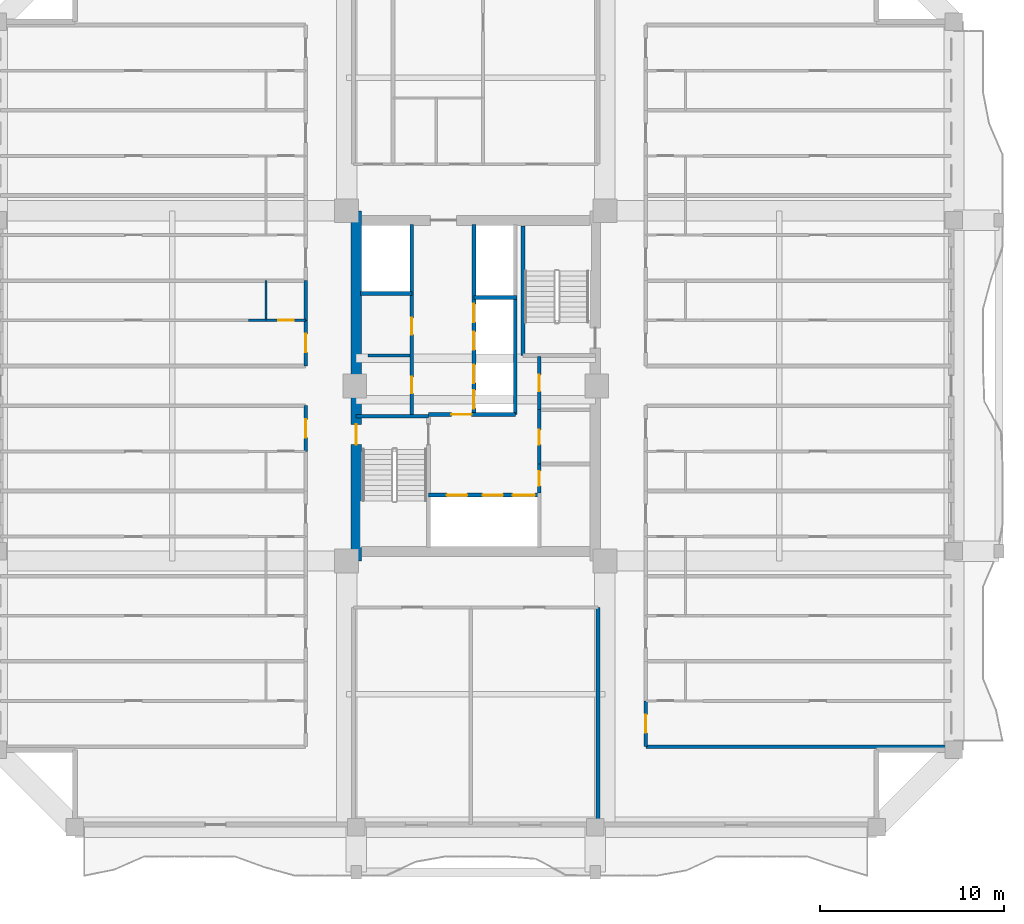
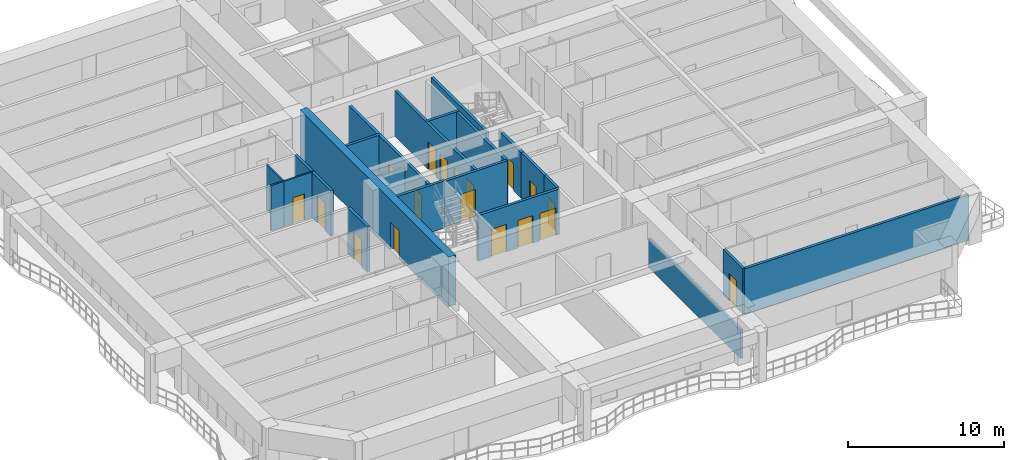
# One storey, part 4 of 13: 23 walls, 18 doors, 18 openings.
"""IFC4 building model written with IfcOpenShell, lengths in metres."""

from ifc_helpers import new_model, si_unit, direction, frame, frame_2d, origin, place, context, subcontext, project, spatial, rectangle, extrude, source, transform, mapped, material, layer, layer_set, type_object, element, fill, save


model = new_model("IFC4")

# Units and contexts
model_context = context("Model", 3, precision=1e-05, world=origin(), true_north=direction((0.0, 1.0)))
body_context = subcontext(model_context, "Body", "Model", "MODEL_VIEW")
ifc_project = project(units=[si_unit("LENGTHUNIT", "METRE"), si_unit("AREAUNIT", "SQUARE_METRE"), si_unit("VOLUMEUNIT", "CUBIC_METRE"), si_unit("PLANEANGLEUNIT", "RADIAN"), si_unit("MASSUNIT", "GRAM", prefix="KILO")], contexts=[model_context])

# Site, building, storey
site_placement = place(None, origin())
site = spatial("IfcSite", under=ifc_project, at=site_placement, CompositionType="ELEMENT")
building_placement = place(site_placement, origin())
building = spatial("IfcBuilding", under=site, at=building_placement, Name="Saelheon Loggia Tower", CompositionType="ELEMENT")
storey_placement = place(building_placement, frame((0.0, 0.0, 122.85009765625)))
storey = spatial("IfcBuildingStorey", under=building, at=storey_placement, Name="L39", CompositionType="ELEMENT", Elevation=122.85009765625)

# Wall, opening, door
ifc_material_1 = material(Name="Concrete C50/60", Category="concrete")
ifc_layer_1 = layer(ifc_material_1, 0.550048828125)
ifc_layer_set_1 = layer_set([ifc_layer_1], Name="Concrete C50/60")
wall_type_1 = type_object("IfcWallType", Name="Wall_CoreShear_550", PredefinedType="SHEAR", material=ifc_layer_set_1)
wall_1_placement = place(storey_placement, frame((31.5, 17.47998046875, 0.0), z_axis=(0.0, 0.0, 1.0), x_axis=(0.0, 1.0, 0.0)))
wall_1 = element("IfcWall", 1, at=wall_1_placement, inside=storey, type_object=wall_type_1, Name="L39 Core Shear Wall West", PredefinedType="SHEAR", context=body_context, shape_type="SweptSolid", body=[
    extrude(rectangle(XDim=19.0400390625, YDim=0.550048828125, at=frame_2d((9.52001953125, 0.0))), origin(), (0.0, 0.0, 1.0), 3.89990234375),
])
opening_1_placement = place(wall_1_placement, frame((6.320068359375, 0.0, 0.0)))
opening_1 = element("IfcOpeningElement", 2, at=opening_1_placement, cuts=wall_1, Name="Opening D-FD2", PredefinedType="OPENING", context=body_context, shape_type="SweptSolid", body=[
    extrude(rectangle(XDim=1.10009765625, YDim=2.14990234375, at=frame_2d((0.550048828125, 1.074951171875))), frame((0.0, 0.287109375, 0.0), z_axis=(0.0, -1.0, 0.0), x_axis=(1.0, 0.0, 0.0)), (0.0, 0.0, 1.0), 0.573974609375),
])
ifc_material_2 = material(Name="Galvanised Steel Fire Door", Category="steel")
door_type_1 = type_object("IfcDoorType", Name="Door_Fire_FD60_1100", OperationType="NOTDEFINED", PredefinedType="DOOR", material=ifc_material_2)
shared_shape_1 = source(origin(), body_context, "Body", "SweptSolid", [
    extrude(rectangle(XDim=1.10009765625, YDim=2.14990234375, at=frame_2d((0.550048828125, 1.074951171875))), frame((0.0, 0.02490234375, 0.0), z_axis=(0.0, -1.0, 0.0), x_axis=(1.0, 0.0, 0.0)), (0.0, 0.0, 1.0), 0.050048828125),
])
door_1_placement = place(opening_1_placement, origin())
door_1 = element("IfcDoor", 3, at=door_1_placement, inside=storey, type_object=door_type_1, Name="L39 Stair ST1 Corridor Door", OperationType="SINGLE_SWING_LEFT", OverallHeight=2.14990234375, OverallWidth=1.10009765625, PredefinedType="DOOR", context=body_context, shape_type="MappedRepresentation", body=[
    mapped(shared_shape_1, transform((0.0, 0.0, 0.0), scale=1.0)),
])
fill(opening_1, door_1)

# Walls
ifc_material_3 = material(Name="Lightweight Autoclaved Aerated Concrete Block and Acoustic Gypsum", Category="concrete")
ifc_layer_2 = layer(ifc_material_3, 0.14990234375)
ifc_layer_set_2 = layer_set([ifc_layer_2], Name="Lightweight Autoclaved Aerated Concrete Block and Acoustic Gypsum")
wall_type_2 = type_object("IfcWallType", Name="Wall_Part_150", PredefinedType="PARTITIONING", material=ifc_layer_set_2)
wall_2_placement = place(storey_placement, frame((32.14990234375, 28.64990234375, 0.0), z_axis=(0.0, 0.0, 1.0), x_axis=(1.0, 0.0, 0.0)))
element("IfcWall", 4, at=wall_2_placement, inside=storey, type_object=wall_type_2, Name="L39 Freed Core Partition PL", PredefinedType="PARTITIONING", context=body_context, shape_type="SweptSolid", body=[
    extrude(rectangle(XDim=2.27001953125, YDim=0.14990234375, at=frame_2d((1.135009765625, 0.0))), origin(), (0.0, 0.0, 1.0), 3.039794921875),
])
ifc_material_4 = material(Name="Double Acoustic Stud and Fireboard Partition", Category="gypsum")
ifc_layer_3 = layer(ifc_material_4, 0.199951171875)
ifc_layer_set_3 = layer_set([ifc_layer_3], Name="Double Acoustic Stud and Fireboard Partition")
wall_type_3 = type_object("IfcWallType", Name="Wall_Party_200", PredefinedType="PARTITIONING", material=ifc_layer_set_3)
wall_3_placement = place(storey_placement, frame((44.64990234375, 14.949951171875, 0.0), z_axis=(0.0, 0.0, 1.0), x_axis=(0.0, -1.0, 0.0)))
element("IfcWall", 5, at=wall_3_placement, inside=storey, type_object=wall_type_3, Name="L39 S Partition U02", PredefinedType="PARTITIONING", context=body_context, shape_type="SweptSolid", body=[
    extrude(rectangle(XDim=11.800048828125, YDim=0.199951171875, at=frame_2d((5.89990234375, 0.0))), origin(), (0.0, 0.0, 1.0), 2.239990234375),
])

# Wall, opening, door
wall_4_placement = place(storey_placement, frame((28.75, 23.43505859375, 0.0), z_axis=(0.0, 0.0, 1.0), x_axis=(0.0, 1.0, 0.0)))
wall_4 = element("IfcWall", 6, at=wall_4_placement, inside=storey, type_object=wall_type_3, Name="L39 WS Partition V25", PredefinedType="PARTITIONING", context=body_context, shape_type="SweptSolid", body=[
    extrude(rectangle(XDim=2.48486328125, YDim=0.199951171875, at=frame_2d((1.242431640625, 0.0))), origin(), (0.0, 0.0, 1.0), 3.559814453125),
])
opening_2_placement = place(wall_4_placement, frame((0.742431640625, 0.0, 0.0)))
opening_2 = element("IfcOpeningElement", 7, at=opening_2_placement, cuts=wall_4, Name="Opening D-FD1", PredefinedType="OPENING", context=body_context, shape_type="SweptSolid", body=[
    extrude(rectangle(XDim=1.0, YDim=2.14990234375, at=frame_2d((0.5, 1.074951171875))), frame((0.0, 0.112060546875, 0.0), z_axis=(0.0, -1.0, 0.0), x_axis=(1.0, 0.0, 0.0)), (0.0, 0.0, 1.0), 0.223876953125),
])
ifc_material_5 = material(Name="Fire-Rated Engineered Timber Entrance Door", Category="wood")
door_type_2 = type_object("IfcDoorType", Name="Door_Flat_FD30S", OperationType="NOTDEFINED", PredefinedType="DOOR", material=ifc_material_5)
shared_shape_2 = source(origin(), body_context, "Body", "SweptSolid", [
    extrude(rectangle(XDim=1.0, YDim=2.14990234375, at=frame_2d((0.5, 1.074951171875))), frame((0.0, 0.02490234375, 0.0), z_axis=(0.0, -1.0, 0.0), x_axis=(1.0, 0.0, 0.0)), (0.0, 0.0, 1.0), 0.050048828125),
])
door_2_placement = place(opening_2_placement, origin())
door_2 = element("IfcDoor", 8, at=door_2_placement, inside=storey, type_object=door_type_2, Name="Unit U04 Entrance Door", OperationType="SINGLE_SWING_LEFT", OverallHeight=2.14990234375, OverallWidth=1.0, PredefinedType="DOOR", context=body_context, shape_type="MappedRepresentation", body=[
    mapped(shared_shape_2, transform((0.0, 0.0, 0.0), scale=1.0)),
])
fill(opening_2, door_2)

wall_5_placement = place(storey_placement, frame((28.75, 28.080078125, 0.0), z_axis=(0.0, 0.0, 1.0), x_axis=(0.0, 1.0, 0.0)))
wall_5 = element("IfcWall", 9, at=wall_5_placement, inside=storey, type_object=wall_type_3, Name="L39 WN Partition V03", PredefinedType="PARTITIONING", context=body_context, shape_type="SweptSolid", body=[
    extrude(rectangle(XDim=2.48486328125, YDim=0.199951171875, at=frame_2d((1.242431640625, 0.0))), origin(), (0.0, 0.0, 1.0), 3.559814453125),
])
opening_3_placement = place(wall_5_placement, frame((0.742431640625, 0.0, 0.0)))
opening_3 = element("IfcOpeningElement", 10, at=opening_3_placement, cuts=wall_5, Name="Opening D-FD1", PredefinedType="OPENING", context=body_context, shape_type="SweptSolid", body=[
    extrude(rectangle(XDim=1.0, YDim=2.14990234375, at=frame_2d((0.5, 1.074951171875))), frame((0.0, 0.112060546875, 0.0), z_axis=(0.0, -1.0, 0.0), x_axis=(1.0, 0.0, 0.0)), (0.0, 0.0, 1.0), 0.223876953125),
])
door_3_placement = place(opening_3_placement, origin())
door_3 = element("IfcDoor", 11, at=door_3_placement, inside=storey, type_object=door_type_2, Name="Unit U05 Entrance Door", OperationType="SINGLE_SWING_RIGHT", OverallHeight=2.14990234375, OverallWidth=1.0, PredefinedType="DOOR", context=body_context, shape_type="MappedRepresentation", body=[
    mapped(shared_shape_2, transform((0.0, 0.0, 0.0), scale=1.0)),
])
fill(opening_3, door_3)

# Walls
wall_6_placement = place(storey_placement, frame((28.75, 30.56494140625, 0.0), z_axis=(0.0, 0.0, 1.0), x_axis=(0.0, 1.0, 0.0)))
element("IfcWall", 12, at=wall_6_placement, inside=storey, type_object=wall_type_3, Name="L39 WN Partition V04", PredefinedType="PARTITIONING", context=body_context, shape_type="SweptSolid", body=[
    extrude(rectangle(XDim=2.150146484375, YDim=0.199951171875, at=frame_2d((1.0751953125, 0.0))), origin(), (0.0, 0.0, 1.0), 3.559814453125),
])
wall_7_placement = place(storey_placement, frame((47.25, 7.3798828125, 0.0), z_axis=(0.0, 0.0, 1.0), x_axis=(1.0, 0.0, 0.0)))
element("IfcWall", 13, at=wall_7_placement, inside=storey, type_object=wall_type_3, Name="L39 ES Partition U01", PredefinedType="PARTITIONING", context=body_context, shape_type="SweptSolid", body=[
    extrude(rectangle(XDim=16.60009765625, YDim=0.199951171875, at=frame_2d((8.300048828125, 0.0))), origin(), (0.0, 0.0, 1.0), 3.559814453125),
])

# Wall, opening, door
wall_8_placement = place(storey_placement, frame((47.25, 7.3798828125, 0.0), z_axis=(0.0, 0.0, 1.0), x_axis=(0.0, 1.0, 0.0)))
wall_8 = element("IfcWall", 14, at=wall_8_placement, inside=storey, type_object=wall_type_3, Name="L39 ES Partition V03", PredefinedType="PARTITIONING", context=body_context, shape_type="SweptSolid", body=[
    extrude(rectangle(XDim=2.485107421875, YDim=0.199951171875, at=frame_2d((1.24267578125, 0.0))), origin(), (0.0, 0.0, 1.0), 3.559814453125),
])
opening_4_placement = place(wall_8_placement, frame((0.742431640625, 0.0, 0.0)))
opening_4 = element("IfcOpeningElement", 15, at=opening_4_placement, cuts=wall_8, Name="Opening D-FD1", PredefinedType="OPENING", context=body_context, shape_type="SweptSolid", body=[
    extrude(rectangle(XDim=1.0, YDim=2.14990234375, at=frame_2d((0.5, 1.074951171875))), frame((0.0, 0.112060546875, 0.0), z_axis=(0.0, -1.0, 0.0), x_axis=(1.0, 0.0, 0.0)), (0.0, 0.0, 1.0), 0.223876953125),
])
door_4_placement = place(opening_4_placement, origin())
door_4 = element("IfcDoor", 16, at=door_4_placement, inside=storey, type_object=door_type_2, Name="Unit U09 Entrance Door", OperationType="SINGLE_SWING_RIGHT", OverallHeight=2.14990234375, OverallWidth=1.0, PredefinedType="DOOR", context=body_context, shape_type="MappedRepresentation", body=[
    mapped(shared_shape_2, transform((0.0, 0.0, 0.0), scale=1.0)),
])
fill(opening_4, door_4)

ifc_material_6 = material(Name="Concrete C40/50", Category="concrete")
ifc_layer_4 = layer(ifc_material_6, 0.199951171875)
ifc_layer_set_4 = layer_set([ifc_layer_4], Name="Concrete C40/50")
wall_type_4 = type_object("IfcWallType", Name="Wall_Shaft_200", PredefinedType="PARTITIONING", material=ifc_layer_set_4)
wall_9_placement = place(storey_placement, frame((41.449951171875, 21.179931640625, 0.0), z_axis=(0.0, 0.0, 1.0), x_axis=(0.0, 1.0, 0.0)))
wall_9 = element("IfcWall", 17, at=wall_9_placement, inside=storey, type_object=wall_type_4, Name="CW-INT-L39-BOH-W1", PredefinedType="PARTITIONING", context=body_context, shape_type="SweptSolid", body=[
    extrude(rectangle(XDim=1.570068359375, YDim=0.199951171875, at=frame_2d((0.78515625, 0.0))), origin(), (0.0, 0.0, 1.0), 3.559814453125),
])
opening_5_placement = place(wall_9_placement, frame((0.3798828125, 0.0, 0.0)))
opening_5 = element("IfcOpeningElement", 18, at=opening_5_placement, cuts=wall_9, Name="Opening D-ST1", PredefinedType="OPENING", context=body_context, shape_type="SweptSolid", body=[
    extrude(rectangle(XDim=0.800048828125, YDim=2.050048828125, at=frame_2d((0.39990234375, 1.02490234375))), frame((0.0, 0.112060546875, 0.0), z_axis=(0.0, -1.0, 0.0), x_axis=(1.0, 0.0, 0.0)), (0.0, 0.0, 1.0), 0.223876953125),
])
ifc_material_7 = material(Name="Powder-Coated Steel Store Door", Category="steel")
door_type_3 = type_object("IfcDoorType", Name="Door_Store_800", OperationType="NOTDEFINED", PredefinedType="DOOR", material=ifc_material_7)
shared_shape_3 = source(origin(), body_context, "Body", "SweptSolid", [
    extrude(rectangle(XDim=0.800048828125, YDim=2.050048828125, at=frame_2d((0.39990234375, 1.02490234375))), frame((0.0, 0.02490234375, 0.0), z_axis=(0.0, -1.0, 0.0), x_axis=(1.0, 0.0, 0.0)), (0.0, 0.0, 1.0), 0.050048828125),
])
door_5_placement = place(opening_5_placement, origin())
door_5 = element("IfcDoor", 19, at=door_5_placement, inside=storey, type_object=door_type_3, Name="L39 Cleaner Store Door", OperationType="SINGLE_SWING_RIGHT", OverallHeight=2.050048828125, OverallWidth=0.800048828125, PredefinedType="DOOR", context=body_context, shape_type="MappedRepresentation", body=[
    mapped(shared_shape_3, transform((0.0, 0.0, 0.0), scale=1.0)),
])
fill(opening_5, door_5)

wall_10_placement = place(storey_placement, frame((41.449951171875, 22.75, 0.0), z_axis=(0.0, 0.0, 1.0), x_axis=(0.0, 1.0, 0.0)))
wall_10 = element("IfcWall", 20, at=wall_10_placement, inside=storey, type_object=wall_type_4, Name="CW-INT-L39-BOH-W2", PredefinedType="PARTITIONING", context=body_context, shape_type="SweptSolid", body=[
    extrude(rectangle(XDim=2.949951171875, YDim=0.199951171875, at=frame_2d((1.47509765625, 0.0))), origin(), (0.0, 0.0, 1.0), 3.559814453125),
])
opening_6_placement = place(wall_10_placement, frame((1.050048828125, 0.0, 0.0)))
opening_6 = element("IfcOpeningElement", 21, at=opening_6_placement, cuts=wall_10, Name="Opening D-ST1", PredefinedType="OPENING", context=body_context, shape_type="SweptSolid", body=[
    extrude(rectangle(XDim=0.800048828125, YDim=2.050048828125, at=frame_2d((0.39990234375, 1.02490234375))), frame((0.0, 0.112060546875, 0.0), z_axis=(0.0, -1.0, 0.0), x_axis=(1.0, 0.0, 0.0)), (0.0, 0.0, 1.0), 0.223876953125),
])
door_6_placement = place(opening_6_placement, origin())
door_6 = element("IfcDoor", 22, at=door_6_placement, inside=storey, type_object=door_type_3, Name="L39 Electrical Riser Door", OperationType="SINGLE_SWING_LEFT", OverallHeight=2.050048828125, OverallWidth=0.800048828125, PredefinedType="DOOR", context=body_context, shape_type="MappedRepresentation", body=[
    mapped(shared_shape_3, transform((0.0, 0.0, 0.0), scale=1.0)),
])
fill(opening_6, door_6)

wall_11_placement = place(storey_placement, frame((41.449951171875, 25.699951171875, 0.0), z_axis=(0.0, 0.0, 1.0), x_axis=(0.0, 1.0, 0.0)))
wall_11 = element("IfcWall", 23, at=wall_11_placement, inside=storey, type_object=wall_type_4, Name="CW-INT-L39-BOH-W3", PredefinedType="PARTITIONING", context=body_context, shape_type="SweptSolid", body=[
    extrude(rectangle(XDim=2.900146484375, YDim=0.199951171875, at=frame_2d((1.4501953125, 0.0))), origin(), (0.0, 0.0, 1.0), 3.559814453125),
])
opening_7_placement = place(wall_11_placement, frame((1.0, 0.0, 0.0)))
opening_7 = element("IfcOpeningElement", 24, at=opening_7_placement, cuts=wall_11, Name="Opening D-RS1", PredefinedType="OPENING", context=body_context, shape_type="SweptSolid", body=[
    extrude(rectangle(XDim=0.89990234375, YDim=2.10009765625, at=frame_2d((0.449951171875, 1.050048828125))), frame((0.0, 0.112060546875, 0.0), z_axis=(0.0, -1.0, 0.0), x_axis=(1.0, 0.0, 0.0)), (0.0, 0.0, 1.0), 0.223876953125),
])
ifc_material_8 = material(Name="Galvanised Steel Riser Access Door", Category="steel")
door_type_4 = type_object("IfcDoorType", Name="Door_Riser_FD60", OperationType="NOTDEFINED", PredefinedType="DOOR", material=ifc_material_8)
shared_shape_4 = source(origin(), body_context, "Body", "SweptSolid", [
    extrude(rectangle(XDim=0.89990234375, YDim=2.10009765625, at=frame_2d((0.449951171875, 1.050048828125))), frame((0.0, 0.02490234375, 0.0), z_axis=(0.0, -1.0, 0.0), x_axis=(1.0, 0.0, 0.0)), (0.0, 0.0, 1.0), 0.050048828125),
])
door_7_placement = place(opening_7_placement, origin())
door_7 = element("IfcDoor", 25, at=door_7_placement, inside=storey, type_object=door_type_4, Name="L39 Floor IT Room Door", OperationType="SINGLE_SWING_RIGHT", OverallHeight=2.10009765625, OverallWidth=0.89990234375, PredefinedType="DOOR", context=body_context, shape_type="MappedRepresentation", body=[
    mapped(shared_shape_4, transform((0.0, 0.0, 0.0), scale=1.0)),
])
fill(opening_7, door_7)

# Wall
wall_12_placement = place(storey_placement, frame((40.14990234375, 25.43994140625, 0.0), z_axis=(0.0, 0.0, 1.0), x_axis=(0.0, 1.0, 0.0)))
element("IfcWall", 26, at=wall_12_placement, inside=storey, type_object=wall_type_4, Name="L39 Core Service Passage West Wall", PredefinedType="PARTITIONING", context=body_context, shape_type="SweptSolid", body=[
    extrude(rectangle(XDim=6.360107421875, YDim=0.199951171875, at=frame_2d((3.18017578125, 0.0))), origin(), (0.0, 0.0, 1.0), 3.559814453125),
])

# Wall, openings, doors
wall_13_placement = place(storey_placement, frame((35.429931640625, 21.06005859375, 0.0), z_axis=(0.0, 0.0, 1.0), x_axis=(1.0, 0.0, 0.0)))
wall_13 = element("IfcWall", 27, at=wall_13_placement, inside=storey, type_object=wall_type_4, Name="L39 Firefighting Lift Shaft Front Wall", PredefinedType="PARTITIONING", context=body_context, shape_type="SweptSolid", body=[
    extrude(rectangle(XDim=6.02001953125, YDim=0.199951171875, at=frame_2d((3.010009765625, 0.0))), origin(), (0.0, 0.0, 1.0), 3.559814453125),
])
opening_8_placement = place(wall_13_placement, frame((1.0, 0.0, 0.0)))
opening_8 = element("IfcOpeningElement", 28, at=opening_8_placement, cuts=wall_13, Name="Opening LD2", PredefinedType="OPENING", context=body_context, shape_type="SweptSolid", body=[
    extrude(rectangle(XDim=1.10009765625, YDim=2.14990234375, at=frame_2d((0.550048828125, 1.074951171875))), frame((0.0, 0.112060546875, 0.0), z_axis=(0.0, -1.0, 0.0), x_axis=(1.0, 0.0, 0.0)), (0.0, 0.0, 1.0), 0.223876953125),
])
opening_9_placement = place(wall_13_placement, frame((2.949951171875, 0.0, 0.0)))
opening_9 = element("IfcOpeningElement", 29, at=opening_9_placement, cuts=wall_13, Name="Opening LD2", PredefinedType="OPENING", context=body_context, shape_type="SweptSolid", body=[
    extrude(rectangle(XDim=1.10009765625, YDim=2.14990234375, at=frame_2d((0.550048828125, 1.074951171875))), frame((0.0, 0.112060546875, 0.0), z_axis=(0.0, -1.0, 0.0), x_axis=(1.0, 0.0, 0.0)), (0.0, 0.0, 1.0), 0.223876953125),
])
opening_10_placement = place(wall_13_placement, frame((4.580078125, 0.0, 0.0)))
opening_10 = element("IfcOpeningElement", 30, at=opening_10_placement, cuts=wall_13, Name="Opening LD3", PredefinedType="OPENING", context=body_context, shape_type="SweptSolid", body=[
    extrude(rectangle(XDim=1.199951171875, YDim=2.14990234375, at=frame_2d((0.60009765625, 1.074951171875))), frame((0.0, 0.112060546875, 0.0), z_axis=(0.0, -1.0, 0.0), x_axis=(1.0, 0.0, 0.0)), (0.0, 0.0, 1.0), 0.223876953125),
])
ifc_material_9 = material(Name="Firefighting Stainless Steel 316 Landing Door", Category="steel")
door_type_5 = type_object("IfcDoorType", Name="Door_Lift_LD2", OperationType="DOUBLE_DOOR_SLIDING", PredefinedType="DOOR", material=ifc_material_9)
door_8_placement = place(opening_8_placement, origin())
door_8 = element("IfcDoor", 31, at=door_8_placement, inside=storey, type_object=door_type_5, Name="L39 FF1 Landing Door", OperationType="DOUBLE_DOOR_SLIDING", OverallHeight=2.14990234375, OverallWidth=1.10009765625, PredefinedType="DOOR", context=body_context, shape_type="MappedRepresentation", body=[
    mapped(shared_shape_1, transform((0.0, 0.0, 0.0), scale=1.0)),
])
fill(opening_8, door_8)
door_9_placement = place(opening_9_placement, origin())
door_9 = element("IfcDoor", 32, at=door_9_placement, inside=storey, type_object=door_type_5, Name="L39 FF2 Landing Door", OperationType="DOUBLE_DOOR_SLIDING", OverallHeight=2.14990234375, OverallWidth=1.10009765625, PredefinedType="DOOR", context=body_context, shape_type="MappedRepresentation", body=[
    mapped(shared_shape_1, transform((0.0, 0.0, 0.0), scale=1.0)),
])
fill(opening_9, door_9)
ifc_material_10 = material(Name="Stretcher Lift Stainless Steel 304 Landing Door", Category="steel")
door_type_6 = type_object("IfcDoorType", Name="Door_Lift_LD3", OperationType="DOUBLE_DOOR_SLIDING", PredefinedType="DOOR", material=ifc_material_10)
shared_shape_5 = source(origin(), body_context, "Body", "SweptSolid", [
    extrude(rectangle(XDim=1.199951171875, YDim=2.14990234375, at=frame_2d((0.60009765625, 1.074951171875))), frame((0.0, 0.02490234375, 0.0), z_axis=(0.0, -1.0, 0.0), x_axis=(1.0, 0.0, 0.0)), (0.0, 0.0, 1.0), 0.050048828125),
])
door_10_placement = place(opening_10_placement, origin())
door_10 = element("IfcDoor", 33, at=door_10_placement, inside=storey, type_object=door_type_6, Name="L39 SV1 Landing Door", OperationType="DOUBLE_DOOR_SLIDING", OverallHeight=2.14990234375, OverallWidth=1.199951171875, PredefinedType="DOOR", context=body_context, shape_type="MappedRepresentation", body=[
    mapped(shared_shape_5, transform((0.0, 0.0, 0.0), scale=1.0)),
])
fill(opening_10, door_10)

# Wall, opening, door
wall_14_placement = place(storey_placement, frame((35.429931640625, 25.43994140625, 0.0), z_axis=(0.0, 0.0, 1.0), x_axis=(1.0, 0.0, 0.0)))
wall_14 = element("IfcWall", 34, at=wall_14_placement, inside=storey, type_object=wall_type_4, Name="L39 Firefighting Lobby Compartment Wall", PredefinedType="PARTITIONING", context=body_context, shape_type="SweptSolid", body=[
    extrude(rectangle(XDim=4.719970703125, YDim=0.199951171875, at=frame_2d((2.35986328125, 0.0))), origin(), (0.0, 0.0, 1.0), 3.559814453125),
])
opening_11_placement = place(wall_14_placement, frame((1.25, 0.0, 0.0)))
opening_11 = element("IfcOpeningElement", 35, at=opening_11_placement, cuts=wall_14, Name="Opening D-FD2", PredefinedType="OPENING", context=body_context, shape_type="SweptSolid", body=[
    extrude(rectangle(XDim=1.10009765625, YDim=2.14990234375, at=frame_2d((0.550048828125, 1.074951171875))), frame((0.0, 0.112060546875, 0.0), z_axis=(0.0, -1.0, 0.0), x_axis=(1.0, 0.0, 0.0)), (0.0, 0.0, 1.0), 0.223876953125),
])
door_11_placement = place(opening_11_placement, origin())
door_11 = element("IfcDoor", 36, at=door_11_placement, inside=storey, type_object=door_type_1, Name="L39 Firefighting Lobby Door", OperationType="SINGLE_SWING_LEFT", OverallHeight=2.14990234375, OverallWidth=1.10009765625, PredefinedType="DOOR", context=body_context, shape_type="MappedRepresentation", body=[
    mapped(shared_shape_1, transform((0.0, 0.0, 0.0), scale=1.0)),
])
fill(opening_11, door_11)

# Wall, openings, doors
wall_15_placement = place(storey_placement, frame((34.52001953125, 25.43994140625, 0.0), z_axis=(0.0, 0.0, 1.0), x_axis=(0.0, 1.0, 0.0)))
wall_15 = element("IfcWall", 37, at=wall_15_placement, inside=storey, type_object=wall_type_4, Name="L39 West Passenger Lift Bank Wall", PredefinedType="PARTITIONING", context=body_context, shape_type="SweptSolid", body=[
    extrude(rectangle(XDim=10.340087890625, YDim=0.199951171875, at=frame_2d((5.169921875, 0.0))), origin(), (0.0, 0.0, 1.0), 3.559814453125),
])
opening_12_placement = place(wall_15_placement, frame((1.14990234375, 0.0, 0.0)))
opening_12 = element("IfcOpeningElement", 38, at=opening_12_placement, cuts=wall_15, Name="Opening D-RS1", PredefinedType="OPENING", context=body_context, shape_type="SweptSolid", body=[
    extrude(rectangle(XDim=0.89990234375, YDim=2.10009765625, at=frame_2d((0.449951171875, 1.050048828125))), frame((0.0, 0.112060546875, 0.0), z_axis=(0.0, -1.0, 0.0), x_axis=(1.0, 0.0, 0.0)), (0.0, 0.0, 1.0), 0.223876953125),
])
opening_13_placement = place(wall_15_placement, frame((4.35009765625, 0.0, 0.0)))
opening_13 = element("IfcOpeningElement", 39, at=opening_13_placement, cuts=wall_15, Name="Opening D-RS1", PredefinedType="OPENING", context=body_context, shape_type="SweptSolid", body=[
    extrude(rectangle(XDim=0.89990234375, YDim=2.10009765625, at=frame_2d((0.449951171875, 1.050048828125))), frame((0.0, 0.112060546875, 0.0), z_axis=(0.0, -1.0, 0.0), x_axis=(1.0, 0.0, 0.0)), (0.0, 0.0, 1.0), 0.223876953125),
])
door_12_placement = place(opening_12_placement, origin())
door_12 = element("IfcDoor", 40, at=door_12_placement, inside=storey, type_object=door_type_4, Name="L39 Parcel Store Door", OperationType="SINGLE_SWING_LEFT", OverallHeight=2.10009765625, OverallWidth=0.89990234375, PredefinedType="DOOR", context=body_context, shape_type="MappedRepresentation", body=[
    mapped(shared_shape_4, transform((0.0, 0.0, 0.0), scale=1.0)),
])
fill(opening_12, door_12)
door_13_placement = place(opening_13_placement, origin())
door_13 = element("IfcDoor", 41, at=door_13_placement, inside=storey, type_object=door_type_4, Name="L39 Smart Metering Door", OperationType="SINGLE_SWING_RIGHT", OverallHeight=2.10009765625, OverallWidth=0.89990234375, PredefinedType="DOOR", context=body_context, shape_type="MappedRepresentation", body=[
    mapped(shared_shape_4, transform((0.0, 0.0, 0.0), scale=1.0)),
])
fill(opening_13, door_13)

# Wall
wall_16_placement = place(storey_placement, frame((31.719970703125, 32.02001953125, 0.0), z_axis=(0.0, 0.0, 1.0), x_axis=(1.0, 0.0, 0.0)))
element("IfcWall", 42, at=wall_16_placement, inside=storey, type_object=wall_type_4, Name="L39 West High-Rise Shaft Divider", PredefinedType="PARTITIONING", context=body_context, shape_type="SweptSolid", body=[
    extrude(rectangle(XDim=2.800048828125, YDim=0.199951171875, at=frame_2d((1.39990234375, 0.0))), origin(), (0.0, 0.0, 1.0), 3.559814453125),
])

# Wall, openings, doors
wall_17_placement = place(storey_placement, frame((37.89990234375, 25.43994140625, 0.0), z_axis=(0.0, 0.0, 1.0), x_axis=(0.0, 1.0, 0.0)))
wall_17 = element("IfcWall", 43, at=wall_17_placement, inside=storey, type_object=wall_type_4, Name="L39 East Passenger Lift Bank Wall", PredefinedType="PARTITIONING", context=body_context, shape_type="SweptSolid", body=[
    extrude(rectangle(XDim=10.340087890625, YDim=0.199951171875, at=frame_2d((5.169921875, 0.0))), origin(), (0.0, 0.0, 1.0), 3.559814453125),
])
opening_14_placement = place(wall_17_placement, frame((0.320068359375, 0.0, 0.0)))
opening_14 = element("IfcOpeningElement", 44, at=opening_14_placement, cuts=wall_17, Name="Opening LD1", PredefinedType="OPENING", context=body_context, shape_type="SweptSolid", body=[
    extrude(rectangle(XDim=1.0, YDim=2.14990234375, at=frame_2d((0.5, 1.074951171875))), frame((0.0, 0.112060546875, 0.0), z_axis=(0.0, -1.0, 0.0), x_axis=(1.0, 0.0, 0.0)), (0.0, 0.0, 1.0), 0.223876953125),
])
opening_15_placement = place(wall_17_placement, frame((1.7099609375, 0.0, 0.0)))
opening_15 = element("IfcOpeningElement", 45, at=opening_15_placement, cuts=wall_17, Name="Opening LD1", PredefinedType="OPENING", context=body_context, shape_type="SweptSolid", body=[
    extrude(rectangle(XDim=1.0, YDim=2.14990234375, at=frame_2d((0.5, 1.074951171875))), frame((0.0, 0.112060546875, 0.0), z_axis=(0.0, -1.0, 0.0), x_axis=(1.0, 0.0, 0.0)), (0.0, 0.0, 1.0), 0.223876953125),
])
opening_16_placement = place(wall_17_placement, frame((3.510009765625, 0.0, 0.0)))
opening_16 = element("IfcOpeningElement", 46, at=opening_16_placement, cuts=wall_17, Name="Opening LD1", PredefinedType="OPENING", context=body_context, shape_type="SweptSolid", body=[
    extrude(rectangle(XDim=1.0, YDim=2.14990234375, at=frame_2d((0.5, 1.074951171875))), frame((0.0, 0.112060546875, 0.0), z_axis=(0.0, -1.0, 0.0), x_axis=(1.0, 0.0, 0.0)), (0.0, 0.0, 1.0), 0.223876953125),
])
opening_17_placement = place(wall_17_placement, frame((5.010009765625, 0.0, 0.0)))
opening_17 = element("IfcOpeningElement", 47, at=opening_17_placement, cuts=wall_17, Name="Opening LD1", PredefinedType="OPENING", context=body_context, shape_type="SweptSolid", body=[
    extrude(rectangle(XDim=1.0, YDim=2.14990234375, at=frame_2d((0.5, 1.074951171875))), frame((0.0, 0.112060546875, 0.0), z_axis=(0.0, -1.0, 0.0), x_axis=(1.0, 0.0, 0.0)), (0.0, 0.0, 1.0), 0.223876953125),
])
ifc_material_11 = material(Name="Brushed Stainless Steel 304 Landing Door", Category="steel")
door_type_7 = type_object("IfcDoorType", Name="Door_Lift_LD1", OperationType="DOUBLE_DOOR_SLIDING", PredefinedType="DOOR", material=ifc_material_11)
door_14_placement = place(opening_14_placement, origin())
door_14 = element("IfcDoor", 48, at=door_14_placement, inside=storey, type_object=door_type_7, Name="L39 PM1 Landing Door", OperationType="DOUBLE_DOOR_SLIDING", OverallHeight=2.14990234375, OverallWidth=1.0, PredefinedType="DOOR", context=body_context, shape_type="MappedRepresentation", body=[
    mapped(shared_shape_2, transform((0.0, 0.0, 0.0), scale=1.0)),
])
fill(opening_14, door_14)
door_15_placement = place(opening_15_placement, origin())
door_15 = element("IfcDoor", 49, at=door_15_placement, inside=storey, type_object=door_type_7, Name="L39 PM2 Landing Door", OperationType="DOUBLE_DOOR_SLIDING", OverallHeight=2.14990234375, OverallWidth=1.0, PredefinedType="DOOR", context=body_context, shape_type="MappedRepresentation", body=[
    mapped(shared_shape_2, transform((0.0, 0.0, 0.0), scale=1.0)),
])
fill(opening_15, door_15)
door_16_placement = place(opening_16_placement, origin())
door_16 = element("IfcDoor", 50, at=door_16_placement, inside=storey, type_object=door_type_7, Name="L39 PM3 Landing Door", OperationType="DOUBLE_DOOR_SLIDING", OverallHeight=2.14990234375, OverallWidth=1.0, PredefinedType="DOOR", context=body_context, shape_type="MappedRepresentation", body=[
    mapped(shared_shape_2, transform((0.0, 0.0, 0.0), scale=1.0)),
])
fill(opening_16, door_16)
door_17_placement = place(opening_17_placement, origin())
door_17 = element("IfcDoor", 51, at=door_17_placement, inside=storey, type_object=door_type_7, Name="L39 PM4 Landing Door", OperationType="DOUBLE_DOOR_SLIDING", OverallHeight=2.14990234375, OverallWidth=1.0, PredefinedType="DOOR", context=body_context, shape_type="MappedRepresentation", body=[
    mapped(shared_shape_2, transform((0.0, 0.0, 0.0), scale=1.0)),
])
fill(opening_17, door_17)

# Walls
wall_18_placement = place(storey_placement, frame((37.89990234375, 31.800048828125, 0.0), z_axis=(0.0, 0.0, 1.0), x_axis=(1.0, 0.0, 0.0)))
element("IfcWall", 52, at=wall_18_placement, inside=storey, type_object=wall_type_4, Name="L39 East High-Rise Shaft Divider", PredefinedType="PARTITIONING", context=body_context, shape_type="SweptSolid", body=[
    extrude(rectangle(XDim=2.35009765625, YDim=0.199951171875, at=frame_2d((1.175048828125, 0.0))), origin(), (0.0, 0.0, 1.0), 3.559814453125),
])
ifc_material_12 = material(Name="Concrete C45/55", Category="concrete")
ifc_layer_5 = layer(ifc_material_12, 0.199951171875)
ifc_layer_set_5 = layer_set([ifc_layer_5], Name="Concrete C45/55")
wall_type_5 = type_object("IfcWallType", Name="Wall_StairShaft_RC200", PredefinedType="SOLIDWALL", material=ifc_layer_set_5)
wall_19_placement = place(storey_placement, frame((31.5, 25.35009765625, 0.0), z_axis=(0.0, 0.0, 1.0), x_axis=(1.0, 0.0, 0.0)))
element("IfcWall", 53, at=wall_19_placement, inside=storey, type_object=wall_type_5, Name="L39 Stair ST1 North Wall", PredefinedType="SOLIDWALL", context=body_context, shape_type="SweptSolid", body=[
    extrude(rectangle(XDim=3.929931640625, YDim=0.199951171875, at=frame_2d((1.96484375, 0.0))), origin(), (0.0, 0.0, 1.0), 3.68994140625),
])
wall_20_placement = place(storey_placement, frame((40.570068359375, 28.64990234375, 0.0), z_axis=(0.0, 0.0, 1.0), x_axis=(0.0, 1.0, 0.0)))
element("IfcWall", 54, at=wall_20_placement, inside=storey, type_object=wall_type_5, Name="L39 Stair ST2 Shaft Wall", PredefinedType="SOLIDWALL", context=body_context, shape_type="SweptSolid", body=[
    extrude(rectangle(XDim=7.050048828125, YDim=0.199951171875, at=frame_2d((3.52490234375, 0.0))), origin(), (0.0, 0.0, 1.0), 3.68994140625),
])

# Wall, opening, door
ifc_material_13 = material(Name="Moisture-Resistant Cement Board Partition", Category="gypsum")
ifc_layer_6 = layer(ifc_material_13, 0.1201171875)
ifc_layer_set_6 = layer_set([ifc_layer_6], Name="Moisture-Resistant Cement Board Partition")
wall_type_6 = type_object("IfcWallType", Name="Wall_WetPart_120", PredefinedType="PARTITIONING", material=ifc_layer_set_6)
wall_21_placement = place(storey_placement, frame((28.75, 30.56494140625, 0.0), z_axis=(0.0, 0.0, 1.0), x_axis=(-1.0, 0.0, 0.0)))
wall_21 = element("IfcWall", 55, at=wall_21_placement, inside=storey, type_object=wall_type_6, Name="L39 WN Partition U05", PredefinedType="PARTITIONING", context=body_context, shape_type="SweptSolid", body=[
    extrude(rectangle(XDim=2.14990234375, YDim=0.1201171875, at=frame_2d((1.074951171875, 0.0))), origin(), (0.0, 0.0, 1.0), 3.559814453125),
])
opening_18_placement = place(wall_21_placement, frame((0.64990234375, 0.0, 0.0)))
opening_18 = element("IfcOpeningElement", 56, at=opening_18_placement, cuts=wall_21, Name="Opening D-BT1", PredefinedType="OPENING", context=body_context, shape_type="SweptSolid", body=[
    extrude(rectangle(XDim=0.85009765625, YDim=2.050048828125, at=frame_2d((0.425048828125, 1.02490234375))), frame((0.0, 0.072021484375, 0.0), z_axis=(0.0, -1.0, 0.0), x_axis=(1.0, 0.0, 0.0)), (0.0, 0.0, 1.0), 0.14404296875),
])
ifc_material_14 = material(Name="Moisture-Resistant Laminate Timber Door", Category="wood")
door_type_8 = type_object("IfcDoorType", Name="Door_Bath_850", OperationType="NOTDEFINED", PredefinedType="DOOR", material=ifc_material_14)
shared_shape_6 = source(origin(), body_context, "Body", "SweptSolid", [
    extrude(rectangle(XDim=0.85009765625, YDim=2.050048828125, at=frame_2d((0.425048828125, 1.02490234375))), frame((0.0, 0.02490234375, 0.0), z_axis=(0.0, -1.0, 0.0), x_axis=(1.0, 0.0, 0.0)), (0.0, 0.0, 1.0), 0.050048828125),
])
door_18_placement = place(opening_18_placement, origin())
door_18 = element("IfcDoor", 57, at=door_18_placement, inside=storey, type_object=door_type_8, Name="Unit U05 Bathroom Door", OperationType="SINGLE_SWING_LEFT", OverallHeight=2.050048828125, OverallWidth=0.85009765625, PredefinedType="DOOR", context=body_context, shape_type="MappedRepresentation", body=[
    mapped(shared_shape_6, transform((0.0, 0.0, 0.0), scale=1.0)),
])
fill(opening_18, door_18)

# Walls
wall_22_placement = place(storey_placement, frame((26.60009765625, 30.56494140625, 0.0), z_axis=(0.0, 0.0, 1.0), x_axis=(-1.0, 0.0, 0.0)))
element("IfcWall", 58, at=wall_22_placement, inside=storey, type_object=wall_type_6, Name="L39 WN Partition U06", PredefinedType="PARTITIONING", context=body_context, shape_type="SweptSolid", body=[
    extrude(rectangle(XDim=0.97021484375, YDim=0.1201171875, at=frame_2d((0.485107421875, 0.0))), origin(), (0.0, 0.0, 1.0), 3.559814453125),
])
wall_23_placement = place(storey_placement, frame((26.60009765625, 30.56494140625, 0.0), z_axis=(0.0, 0.0, 1.0), x_axis=(0.0, 1.0, 0.0)))
element("IfcWall", 59, at=wall_23_placement, inside=storey, type_object=wall_type_6, Name="L39 WN Partition V07", PredefinedType="PARTITIONING", context=body_context, shape_type="SweptSolid", body=[
    extrude(rectangle(XDim=2.150146484375, YDim=0.1201171875, at=frame_2d((1.0751953125, 0.0))), origin(), (0.0, 0.0, 1.0), 3.559814453125),
])

save(model, "model.ifc")
